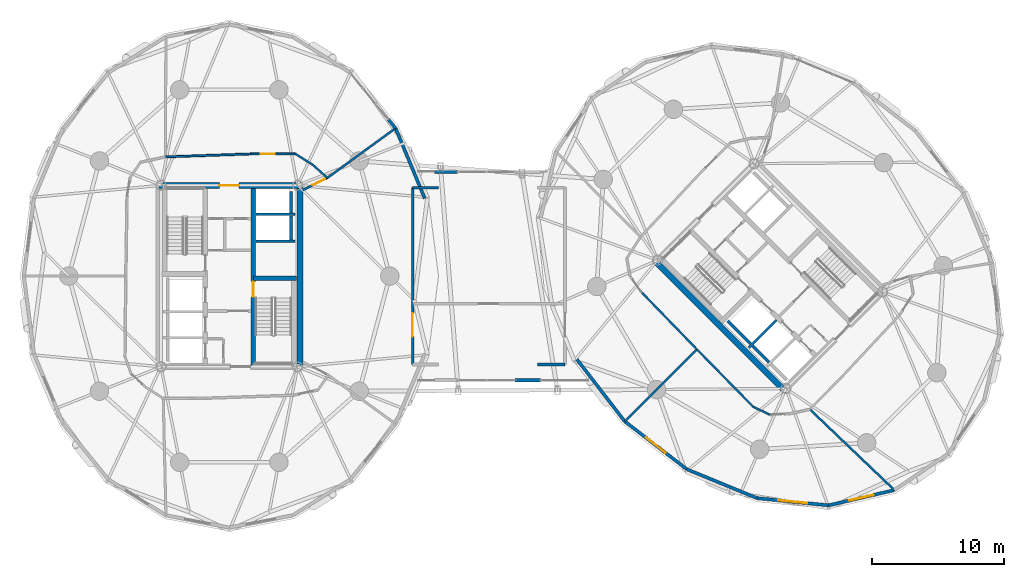
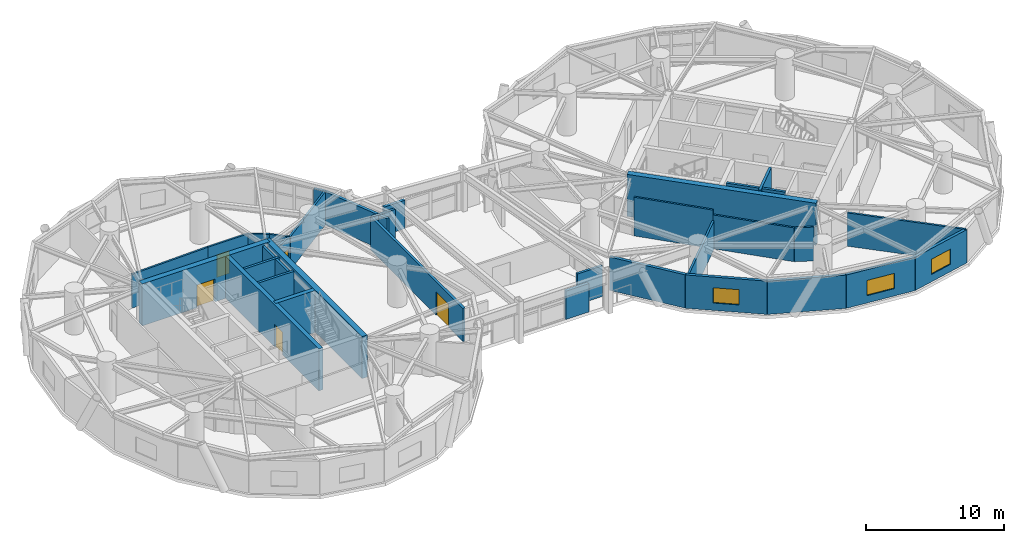
# One storey, part 14 of 19: 35 walls, 5 doors, 3 windows, 8 openings.
"""IFC4 building model written with IfcOpenShell, lengths in metres."""

from ifc_helpers import new_model, si_unit, direction, frame, frame_2d, origin, place, context, subcontext, project, spatial, rectangle, extrude, source, transform, mapped, material, layer, layer_set, type_object, element, fill, save


model = new_model("IFC4")

# Units and contexts
model_context = context("Model", 3, precision=1e-05, world=origin(), true_north=direction((0.0, 1.0)))
body_context = subcontext(model_context, "Body", "Model", "MODEL_VIEW")
ifc_project = project(units=[si_unit("LENGTHUNIT", "METRE"), si_unit("AREAUNIT", "SQUARE_METRE"), si_unit("VOLUMEUNIT", "CUBIC_METRE"), si_unit("PLANEANGLEUNIT", "RADIAN"), si_unit("MASSUNIT", "GRAM", prefix="KILO")], contexts=[model_context])

# Site, building, storey
site_placement = place(None, origin())
site = spatial("IfcSite", under=ifc_project, at=site_placement, CompositionType="ELEMENT")
building_placement = place(site_placement, origin())
building = spatial("IfcBuilding", under=site, at=building_placement, Name="Cununo Teusaquillo Station Towers", CompositionType="ELEMENT")
storey_placement = place(building_placement, frame((0.0, 0.0, 132.8798828125)))
storey = spatial("IfcBuildingStorey", under=building, at=storey_placement, Name="L42", CompositionType="ELEMENT", Elevation=132.8798828125)

# Walls
ifc_material_1 = material(Name="Concrete C50/60", Category="concrete")
ifc_layer_1 = layer(ifc_material_1, 0.199951171875)
ifc_layer_set_1 = layer_set([ifc_layer_1], Name="Concrete C50/60")
wall_type_1 = type_object("IfcWallType", Name="WL-CORE-200", PredefinedType="SHEAR", material=ifc_layer_set_1)
for number, where, z_axis, x_axis, name in (
    (1, (18.510009765625, 27.1298828125, 0.0), (0.0, 0.0, 1.0), (1.0, 0.0, 0.0), "L42 Tower A Low-Rise Lift Hoistway South Shear Wall"),
    (2, (18.510009765625, 29.175048828125, 0.0), (0.0, 0.0, 1.0), (1.0, 0.0, 0.0), "L42 Tower A Low-Rise Lift Hoistway Divider Shear Wall"),
):
    element("IfcWall", number, at=place(storey_placement, frame(where, z_axis=z_axis, x_axis=x_axis)), inside=storey, type_object=wall_type_1, Name=name, PredefinedType="SHEAR", context=body_context, shape_type="SweptSolid", body=[
        extrude(rectangle(XDim=2.969970703125, YDim=0.199951171875, at=frame_2d((1.48486328125, 0.0))), origin(), (0.0, 0.0, 1.0), 3.72021484375),
    ])
wall_1_placement = place(storey_placement, frame((21.179931640625, 27.25, 0.0), z_axis=(0.0, 0.0, 1.0), x_axis=(0.0, 1.0, 0.0)))
element("IfcWall", 3, at=wall_1_placement, inside=storey, type_object=wall_type_1, Name="L42 Tower A Low-Rise Lift 1 Shaft Rear Shear Wall", PredefinedType="SHEAR", context=body_context, shape_type="SweptSolid", body=[
    extrude(rectangle(XDim=1.804931640625, YDim=0.199951171875, at=frame_2d((0.90234375, 0.0))), origin(), (0.0, 0.0, 1.0), 3.72021484375),
])
wall_2_placement = place(storey_placement, frame((21.179931640625, 29.294921875, 0.0), z_axis=(0.0, 0.0, 1.0), x_axis=(0.0, 1.0, 0.0)))
element("IfcWall", 4, at=wall_2_placement, inside=storey, type_object=wall_type_1, Name="L42 Tower A Low-Rise Lift 2 Shaft Rear Shear Wall", PredefinedType="SHEAR", context=body_context, shape_type="SweptSolid", body=[
    extrude(rectangle(XDim=1.635009765625, YDim=0.199951171875, at=frame_2d((0.8173828125, 0.0))), origin(), (0.0, 0.0, 1.0), 3.72021484375),
])
wall_3_placement = place(storey_placement, frame((55.8876953125, 19.0693359375, 0.0), z_axis=(0.0, 0.0, 1.0), x_axis=(0.707106781187, 0.707106781187, 0.0)))
element("IfcWall", 5, at=wall_3_placement, inside=storey, type_object=wall_type_1, Name="L42 Tower B Firefighting Lift Shaft South Shear Wall", PredefinedType="SHEAR", context=body_context, shape_type="SweptSolid", body=[
    extrude(rectangle(XDim=2.969970703125, YDim=0.199951171875, at=frame_2d((1.48486328125, 0.0))), origin(), (0.0, 0.0, 1.0), 3.72021484375),
])
wall_4_placement = place(storey_placement, frame((56.01513671875, 19.366455078125, 0.0), z_axis=(0.0, 0.0, 1.0), x_axis=(-0.707106781187, 0.707106781187, 0.0)))
element("IfcWall", 6, at=wall_4_placement, inside=storey, type_object=wall_type_1, Name="L42 Tower B Firefighting Lift Shaft Rear Shear Wall", PredefinedType="SHEAR", context=body_context, shape_type="SweptSolid", body=[
    extrude(rectangle(XDim=2.43994140625, YDim=0.199951171875, at=frame_2d((1.219970703125, 0.0))), origin(), (0.0, 0.0, 1.0), 3.72021484375),
])
wall_5_placement = place(storey_placement, frame((57.41162109375, 17.969970703125, 0.0), z_axis=(0.0, 0.0, 1.0), x_axis=(-0.707106781187, 0.707106781187, 0.0)))
element("IfcWall", 7, at=wall_5_placement, inside=storey, type_object=wall_type_1, Name="L42 Tower B High-Rise Lift 2 Shaft Rear Shear Wall", PredefinedType="SHEAR", context=body_context, shape_type="SweptSolid", body=[
    extrude(rectangle(XDim=1.73486328125, YDim=0.199951171875, at=frame_2d((0.867431640625, 0.0))), origin(), (0.0, 0.0, 1.0), 3.72021484375),
])

# Wall, opening, door
ifc_material_2 = material(Name="Concrete C50/60", Category="concrete")
ifc_layer_2 = layer(ifc_material_2, 0.35009765625)
ifc_layer_set_2 = layer_set([ifc_layer_2], Name="Concrete C50/60")
wall_type_2 = type_object("IfcWallType", Name="WL-CORE-350", PredefinedType="SHEAR", material=ifc_layer_set_2)
wall_6_placement = place(storey_placement, frame((18.31494140625, 17.625, 0.0), z_axis=(0.0, 0.0, 1.0), x_axis=(0.0, 1.0, 0.0)))
wall_6 = element("IfcWall", 8, at=wall_6_placement, inside=storey, type_object=wall_type_2, Name="L42 Tower A Core Shear Wall IE", PredefinedType="SHEAR", context=body_context, shape_type="SweptSolid", body=[
    extrude(rectangle(XDim=13.75, YDim=0.35009765625, at=frame_2d((6.875, 0.0))), origin(), (0.0, 0.0, 1.0), 3.72021484375),
])
shared_shape_1 = source(origin(), body_context, "Body", "SweptSolid", [
    extrude(rectangle(XDim=1.14990234375, YDim=2.02001953125, at=frame_2d((0.574951171875, 1.010009765625))), frame((0.0, 0.18505859375, 0.0), z_axis=(0.0, -1.0, 0.0), x_axis=(1.0, 0.0, 0.0)), (0.0, 0.0, 1.0), 0.3701171875),
])
opening_1_placement = place(wall_6_placement, frame((5.304931640625, 0.0, 0.0)))
opening_1 = element("IfcOpeningElement", 9, at=opening_1_placement, cuts=wall_6, Name="Opening D-ST1", PredefinedType="OPENING", context=body_context, shape_type="MappedRepresentation", body=[
    mapped(shared_shape_1, transform((0.0, 0.0, 0.0), x_axis=(1.0, 0.0, 0.0), y_axis=(0.0, 1.0, 0.0), z_axis=(0.0, 0.0, 1.0), scale=1.0)),
])
ifc_material_3 = material(Name="Galvanised fire-rated hollow steel door assembly", Category="steel")
door_type_1 = type_object("IfcDoorType", Name="DR-STAIR-1150", OperationType="NOTDEFINED", PredefinedType="DOOR", material=ifc_material_3)
shared_shape_2 = source(origin(), body_context, "Body", "SweptSolid", [
    extrude(rectangle(XDim=1.14990234375, YDim=2.02001953125, at=frame_2d((0.574951171875, 1.010009765625))), frame((0.0, 0.02490234375, 0.0), z_axis=(0.0, -1.0, 0.0), x_axis=(1.0, 0.0, 0.0)), (0.0, 0.0, 1.0), 0.050048828125),
])
door_1_placement = place(opening_1_placement, origin())
door_1 = element("IfcDoor", 10, at=door_1_placement, inside=storey, type_object=door_type_1, Name="L42 Tower A Exit Stair 2 Fire Door", OperationType="SINGLE_SWING_LEFT", OverallHeight=2.02001953125, OverallWidth=1.14990234375, PredefinedType="DOOR", context=body_context, shape_type="MappedRepresentation", body=[
    mapped(shared_shape_2, transform((0.0, 0.0, 0.0), x_axis=(1.0, 0.0, 0.0), y_axis=(0.0, 1.0, 0.0), z_axis=(0.0, 0.0, 1.0), scale=1.0)),
])
fill(opening_1, door_1)

# Walls
wall_7_placement = place(storey_placement, frame((18.31494140625, 24.344970703125, 0.0), z_axis=(0.0, 0.0, 1.0), x_axis=(1.0, 0.0, 0.0)))
element("IfcWall", 11, at=wall_7_placement, inside=storey, type_object=wall_type_2, Name="L42 Tower A Core Shear Wall ST2N", PredefinedType="SHEAR", context=body_context, shape_type="SweptSolid", body=[
    extrude(rectangle(XDim=3.28515625, YDim=0.35009765625, at=frame_2d((1.642578125, 0.0))), origin(), (0.0, 0.0, 1.0), 3.72021484375),
])
ifc_material_4 = material(Name="Concrete C60/75", Category="concrete")
ifc_layer_3 = layer(ifc_material_4, 0.449951171875)
ifc_layer_set_3 = layer_set([ifc_layer_3], Name="Concrete C60/75")
wall_type_3 = type_object("IfcWallType", Name="WL-CORE-450", PredefinedType="SHEAR", material=ifc_layer_set_3)
wall_8_placement = place(storey_placement, frame((21.85009765625, 17.39990234375, 0.0), z_axis=(0.0, 0.0, 1.0), x_axis=(0.0, 1.0, 0.0)))
element("IfcWall", 12, at=wall_8_placement, inside=storey, type_object=wall_type_3, Name="L42 Tower A Core Shear Wall E", PredefinedType="SHEAR", context=body_context, shape_type="SweptSolid", body=[
    extrude(rectangle(XDim=14.2001953125, YDim=0.449951171875, at=frame_2d((7.10009765625, 0.0))), origin(), (0.0, 0.0, 1.0), 3.72021484375),
])

# Wall, opening, door
wall_9_placement = place(storey_placement, frame((11.14990234375, 31.375, 0.0), z_axis=(0.0, 0.0, 1.0), x_axis=(1.0, 0.0, 0.0)))
wall_9 = element("IfcWall", 13, at=wall_9_placement, inside=storey, type_object=wall_type_3, Name="L42 Tower A Core Shear Wall N", PredefinedType="SHEAR", context=body_context, shape_type="SweptSolid", body=[
    extrude(rectangle(XDim=10.7001953125, YDim=0.449951171875, at=frame_2d((5.35009765625, 0.0))), origin(), (0.0, 0.0, 1.0), 3.72021484375),
])
shared_shape_3 = source(origin(), body_context, "Body", "SweptSolid", [
    extrude(rectangle(XDim=1.5, YDim=2.02001953125, at=frame_2d((0.75, 1.010009765625))), frame((0.0, 0.23486328125, 0.0), z_axis=(0.0, -1.0, 0.0), x_axis=(1.0, 0.0, 0.0)), (0.0, 0.0, 1.0), 0.469970703125),
])
opening_2_placement = place(wall_9_placement, frame((4.60009765625, 0.0, 0.0)))
opening_2 = element("IfcOpeningElement", 14, at=opening_2_placement, cuts=wall_9, Name="Opening D-LB1", PredefinedType="OPENING", context=body_context, shape_type="MappedRepresentation", body=[
    mapped(shared_shape_3, transform((0.0, 0.0, 0.0), x_axis=(1.0, 0.0, 0.0), y_axis=(0.0, 1.0, 0.0), z_axis=(0.0, 0.0, 1.0), scale=1.0)),
])
ifc_material_5 = material(Name="Galvanised fire-rated hollow steel door assembly", Category="steel")
door_type_2 = type_object("IfcDoorType", Name="DR-LOBBY-1500", OperationType="DOUBLE_DOOR_SINGLE_SWING", PredefinedType="DOOR", material=ifc_material_5)
shared_shape_4 = source(origin(), body_context, "Body", "SweptSolid", [
    extrude(rectangle(XDim=1.5, YDim=2.02001953125, at=frame_2d((0.75, 1.010009765625))), frame((0.0, 0.02490234375, 0.0), z_axis=(0.0, -1.0, 0.0), x_axis=(1.0, 0.0, 0.0)), (0.0, 0.0, 1.0), 0.050048828125),
])
door_2_placement = place(opening_2_placement, origin())
door_2 = element("IfcDoor", 15, at=door_2_placement, inside=storey, type_object=door_type_2, Name="L42 Tower A North Core Lift Lobby Door", OperationType="DOUBLE_DOOR_SINGLE_SWING", OverallHeight=2.02001953125, OverallWidth=1.5, PredefinedType="DOOR", context=body_context, shape_type="MappedRepresentation", body=[
    mapped(shared_shape_4, transform((0.0, 0.0, 0.0), x_axis=(1.0, 0.0, 0.0), y_axis=(0.0, 1.0, 0.0), z_axis=(0.0, 0.0, 1.0), scale=1.0)),
])
fill(opening_2, door_2)

# Walls
wall_10_placement = place(storey_placement, frame((58.7373046875, 15.696533203125, 0.0), z_axis=(0.0, 0.0, 1.0), x_axis=(-0.707106781187, 0.707106781187, 0.0)))
element("IfcWall", 16, at=wall_10_placement, inside=storey, type_object=wall_type_3, Name="L42 Tower B Core Shear Wall W", PredefinedType="SHEAR", context=body_context, shape_type="SweptSolid", body=[
    extrude(rectangle(XDim=14.19970703125, YDim=0.449951171875, at=frame_2d((7.099853515625, 0.0))), origin(), (0.0, 0.0, 1.0), 3.72021484375),
])
ifc_material_6 = material(Name="Precast concrete C40/50", Category="concrete")
ifc_layer_4 = layer(ifc_material_6, 0.239990234375)
ifc_layer_set_4 = layer_set([ifc_layer_4], Name="Precast concrete C40/50")
wall_type_4 = type_object("IfcWallType", Name="WL-EXT-240", PredefinedType="SOLIDWALL", material=ifc_layer_set_4)
wall_11_placement = place(storey_placement, frame((29.105224609375, 35.708984375, 0.0), z_axis=(0.0, 0.0, 1.0), x_axis=(0.384344417632, -0.923189779317, 0.0)))
element("IfcWall", 17, at=wall_11_placement, inside=storey, type_object=wall_type_4, Name="L42 Tower A Exterior Facade Wall C01", PredefinedType="SOLIDWALL", context=body_context, shape_type="SweptSolid", body=[
    extrude(rectangle(XDim=5.75830078125, YDim=0.239990234375, at=frame_2d((2.879150390625, 0.0))), origin(), (0.0, 0.0, 1.0), 2.94921875),
])
wall_12_placement = place(storey_placement, frame((28.5546875, 36.3828125, 0.0), z_axis=(0.0, 0.0, 1.0), x_axis=(0.632702874536, -0.774394649099, 0.0)))
element("IfcWall", 18, at=wall_12_placement, inside=storey, type_object=wall_type_4, Name="L42 Tower A Column Pier Cladding Wall C02-PB", PredefinedType="SOLIDWALL", context=body_context, shape_type="SweptSolid", body=[
    extrude(rectangle(XDim=0.8701171875, YDim=0.239990234375, at=frame_2d((0.43505859375, 0.0))), origin(), (0.0, 0.0, 1.0), 2.94921875),
])
wall_13_placement = place(storey_placement, frame((46.482666015625, 13.482666015625, 0.0), z_axis=(0.0, 0.0, 1.0), x_axis=(-0.61054437102, 0.791982052206, 0.0)))
element("IfcWall", 19, at=wall_13_placement, inside=storey, type_object=wall_type_4, Name="L42 Tower B Exterior Facade Wall C09", PredefinedType="SOLIDWALL", context=body_context, shape_type="SweptSolid", body=[
    extrude(rectangle(XDim=5.942138671875, YDim=0.239990234375, at=frame_2d((2.97119140625, 0.0))), origin(), (0.0, 0.0, 1.0), 2.94921875),
])

# Wall, opening, window
wall_14_placement = place(storey_placement, frame((51.188720703125, 9.854736328125, 0.0), z_axis=(0.0, 0.0, 1.0), x_axis=(-0.791982052206, 0.61054437102, 0.0)))
wall_14 = element("IfcWall", 20, at=wall_14_placement, inside=storey, type_object=wall_type_4, Name="L42 Tower B Exterior Facade Wall C10", PredefinedType="SOLIDWALL", context=body_context, shape_type="SweptSolid", body=[
    extrude(rectangle(XDim=5.942138671875, YDim=0.239990234375, at=frame_2d((2.97119140625, 0.0))), origin(), (0.0, 0.0, 1.0), 2.94921875),
])
shared_shape_5 = source(origin(), body_context, "Body", "SweptSolid", [
    extrude(rectangle(XDim=1.89990234375, YDim=1.35009765625, at=frame_2d((0.949951171875, 0.675048828125))), frame((0.0, 0.1298828125, 0.0), z_axis=(0.0, -1.0, 0.0), x_axis=(1.0, 0.0, 0.0)), (0.0, 0.0, 1.0), 0.260009765625),
])
opening_3_placement = place(wall_14_placement, frame((2.02099609375, 0.0, 0.64990234375)))
opening_3 = element("IfcOpeningElement", 21, at=opening_3_placement, cuts=wall_14, Name="Opening WN-02", PredefinedType="OPENING", context=body_context, shape_type="MappedRepresentation", body=[
    mapped(shared_shape_5, transform((0.0, 0.0, 0.0), x_axis=(1.0, 0.0, 0.0), y_axis=(0.0, 1.0, 0.0), z_axis=(0.0, 0.0, 1.0), scale=1.0)),
])
ifc_material_7 = material(Name="Operable acoustic tinted low-E double glazing", Category="glass")
window_type_1 = type_object("IfcWindowType", Name="WIN-OPER-1900", PartitioningType="DOUBLE_PANEL_VERTICAL", PredefinedType="WINDOW", material=ifc_material_7)
shared_shape_6 = source(origin(), body_context, "Body", "SweptSolid", [
    extrude(rectangle(XDim=1.89990234375, YDim=1.35009765625, at=frame_2d((0.949951171875, 0.675048828125))), frame((0.0, 0.030029296875, 0.0), z_axis=(0.0, -1.0, 0.0), x_axis=(1.0, 0.0, 0.0)), (0.0, 0.0, 1.0), 0.06005859375),
])
window_1_placement = place(opening_3_placement, origin())
window_1 = element("IfcWindow", 22, at=window_1_placement, inside=storey, type_object=window_type_1, Name="L42 Tower B Facade Window C10", OverallHeight=1.35009765625, OverallWidth=1.89990234375, PartitioningType="DOUBLE_PANEL_VERTICAL", PredefinedType="WINDOW", context=body_context, shape_type="MappedRepresentation", body=[
    mapped(shared_shape_6, transform((0.0, 0.0, 0.0), x_axis=(1.0, 0.0, 0.0), y_axis=(0.0, 1.0, 0.0), z_axis=(0.0, 0.0, 1.0), scale=1.0)),
])
fill(opening_3, window_1)

# Wall
wall_15_placement = place(storey_placement, frame((56.5126953125, 7.66064453125, 0.0), z_axis=(0.0, 0.0, 1.0), x_axis=(-0.924563909604, 0.381027003055, 0.0)))
element("IfcWall", 23, at=wall_15_placement, inside=storey, type_object=wall_type_4, Name="L42 Tower B Exterior Facade Wall C11", PredefinedType="SOLIDWALL", context=body_context, shape_type="SweptSolid", body=[
    extrude(rectangle(XDim=5.75830078125, YDim=0.239990234375, at=frame_2d((2.879150390625, 0.0))), origin(), (0.0, 0.0, 1.0), 2.94921875),
])

# Wall, opening, window
wall_16_placement = place(storey_placement, frame((61.933349609375, 7.114990234375, 0.0), z_axis=(0.0, 0.0, 1.0), x_axis=(-0.994971754311, 0.10015591906, 0.0)))
wall_16 = element("IfcWall", 24, at=wall_16_placement, inside=storey, type_object=wall_type_4, Name="L42 Tower B Exterior Facade Wall C12", PredefinedType="SOLIDWALL", context=body_context, shape_type="SweptSolid", body=[
    extrude(rectangle(XDim=5.447998046875, YDim=0.239990234375, at=frame_2d((2.72412109375, 0.0))), origin(), (0.0, 0.0, 1.0), 2.94921875),
])
shared_shape_7 = source(origin(), body_context, "Body", "SweptSolid", [
    extrude(rectangle(XDim=2.199951171875, YDim=1.35009765625, at=frame_2d((1.10009765625, 0.675048828125))), frame((0.0, 0.1298828125, 0.0), z_axis=(0.0, -1.0, 0.0), x_axis=(1.0, 0.0, 0.0)), (0.0, 0.0, 1.0), 0.260009765625),
])
opening_4_placement = place(wall_16_placement, frame((1.6240234375, 0.0, 0.64990234375)))
opening_4 = element("IfcOpeningElement", 25, at=opening_4_placement, cuts=wall_16, Name="Opening WN-01", PredefinedType="OPENING", context=body_context, shape_type="MappedRepresentation", body=[
    mapped(shared_shape_7, transform((0.0, 0.0, 0.0), x_axis=(1.0, 0.0, 0.0), y_axis=(0.0, 1.0, 0.0), z_axis=(0.0, 0.0, 1.0), scale=1.0)),
])
ifc_material_8 = material(Name="Ceramic-fritted dark low-E double glazing", Category="glass")
window_type_2 = type_object("IfcWindowType", Name="WIN-FRIT-2200", PartitioningType="DOUBLE_PANEL_VERTICAL", PredefinedType="WINDOW", material=ifc_material_8)
shared_shape_8 = source(origin(), body_context, "Body", "SweptSolid", [
    extrude(rectangle(XDim=2.199951171875, YDim=1.35009765625, at=frame_2d((1.10009765625, 0.675048828125))), frame((0.0, 0.030029296875, 0.0), z_axis=(0.0, -1.0, 0.0), x_axis=(1.0, 0.0, 0.0)), (0.0, 0.0, 1.0), 0.06005859375),
])
window_2_placement = place(opening_4_placement, origin())
window_2 = element("IfcWindow", 26, at=window_2_placement, inside=storey, type_object=window_type_2, Name="L42 Tower B Facade Window C12", OverallHeight=1.35009765625, OverallWidth=2.199951171875, PartitioningType="DOUBLE_PANEL_VERTICAL", PredefinedType="WINDOW", context=body_context, shape_type="MappedRepresentation", body=[
    mapped(shared_shape_8, transform((0.0, 0.0, 0.0), x_axis=(1.0, 0.0, 0.0), y_axis=(0.0, 1.0, 0.0), z_axis=(0.0, 0.0, 1.0), scale=1.0)),
])
fill(opening_4, window_2)

wall_17_placement = place(storey_placement, frame((66.919921875, 8.27099609375, 0.0), z_axis=(0.0, 0.0, 1.0), x_axis=(-0.974165631126, -0.225834725257, 0.0)))
wall_17 = element("IfcWall", 27, at=wall_17_placement, inside=storey, type_object=wall_type_4, Name="L42 Tower B Exterior Facade Wall C13", PredefinedType="SOLIDWALL", context=body_context, shape_type="SweptSolid", body=[
    extrude(rectangle(XDim=5.118896484375, YDim=0.239990234375, at=frame_2d((2.5595703125, 0.0))), origin(), (0.0, 0.0, 1.0), 2.94921875),
])
opening_5_placement = place(wall_17_placement, frame((1.60888671875, 0.0, 0.64990234375)))
opening_5 = element("IfcOpeningElement", 28, at=opening_5_placement, cuts=wall_17, Name="Opening WN-02", PredefinedType="OPENING", context=body_context, shape_type="MappedRepresentation", body=[
    mapped(shared_shape_5, transform((0.0, 0.0, 0.0), x_axis=(1.0, 0.0, 0.0), y_axis=(0.0, 1.0, 0.0), z_axis=(0.0, 0.0, 1.0), scale=1.0)),
])
window_3_placement = place(opening_5_placement, origin())
window_3 = element("IfcWindow", 29, at=window_3_placement, inside=storey, type_object=window_type_1, Name="L42 Tower B Facade Window C13", OverallHeight=1.35009765625, OverallWidth=1.89990234375, PartitioningType="DOUBLE_PANEL_VERTICAL", PredefinedType="WINDOW", context=body_context, shape_type="MappedRepresentation", body=[
    mapped(shared_shape_6, transform((0.0, 0.0, 0.0), x_axis=(1.0, 0.0, 0.0), y_axis=(0.0, 1.0, 0.0), z_axis=(0.0, 0.0, 1.0), scale=1.0)),
])
fill(opening_5, window_3)

# Walls
wall_18_placement = place(storey_placement, frame((32.050048828125, 32.39990234375, 0.0), z_axis=(0.0, 0.0, 1.0), x_axis=(1.0, 0.0, 0.0)))
element("IfcWall", 30, at=wall_18_placement, inside=storey, type_object=wall_type_4, Name="L42 Mid-Bridge N End Spandrel A", PredefinedType="SOLIDWALL", context=body_context, shape_type="SweptSolid", body=[
    extrude(rectangle(XDim=1.77001953125, YDim=0.239990234375, at=frame_2d((0.885009765625, 0.0))), origin(), (0.0, 0.0, 1.0), 2.51220703125),
])
wall_19_placement = place(storey_placement, frame((40.10009765625, 16.60009765625, 0.0), z_axis=(0.0, 0.0, 1.0), x_axis=(-1.0, 0.0, 0.0)))
element("IfcWall", 31, at=wall_19_placement, inside=storey, type_object=wall_type_4, Name="L42 Mid-Bridge S End Spandrel A", PredefinedType="SOLIDWALL", context=body_context, shape_type="SweptSolid", body=[
    extrude(rectangle(XDim=1.920166015625, YDim=0.239990234375, at=frame_2d((0.9599609375, 0.0))), origin(), (0.0, 0.0, 1.0), 2.51220703125),
])
ifc_material_9 = material(Name="Fire-rated gypsum plasterboard partition assembly", Category="gypsum")
ifc_layer_5 = layer(ifc_material_9, 0.14990234375)
ifc_layer_set_5 = layer_set([ifc_layer_5], Name="Fire-rated gypsum plasterboard partition assembly")
wall_type_5 = type_object("IfcWallType", Name="WL-PART-150", PredefinedType="PARTITIONING", material=ifc_layer_set_5)
wall_20_placement = place(storey_placement, frame((23.933349609375, 31.9462890625, 0.0), z_axis=(0.0, 0.0, 1.0), x_axis=(-0.744529651383, 0.667589393423, 0.0)))
element("IfcWall", 32, at=wall_20_placement, inside=storey, type_object=wall_type_5, Name="L42 Tower A Corridor Ring Wall C02", PredefinedType="PARTITIONING", context=body_context, shape_type="SweptSolid", body=[
    extrude(rectangle(XDim=1.472412109375, YDim=0.14990234375, at=frame_2d((0.736328125, 0.0))), origin(), (0.0, 0.0, 1.0), 2.9951171875),
])
wall_21_placement = place(storey_placement, frame((22.837158203125, 32.92919921875, 0.0), z_axis=(0.0, 0.0, 1.0), x_axis=(-0.84581079329, 0.533482991252, 0.0)))
element("IfcWall", 33, at=wall_21_placement, inside=storey, type_object=wall_type_5, Name="L42 Tower A Corridor Ring Wall C03", PredefinedType="PARTITIONING", context=body_context, shape_type="SweptSolid", body=[
    extrude(rectangle(XDim=1.585205078125, YDim=0.14990234375, at=frame_2d((0.79248046875, 0.0))), origin(), (0.0, 0.0, 1.0), 2.9951171875),
])

# Wall, opening, door
wall_22_placement = place(storey_placement, frame((21.496337890625, 33.77490234375, 0.0), z_axis=(0.0, 0.0, 1.0), x_axis=(-0.999989544737, -0.004572790979, 0.0)))
wall_22 = element("IfcWall", 34, at=wall_22_placement, inside=storey, type_object=wall_type_5, Name="L42 Tower A Corridor Ring Wall C04", PredefinedType="PARTITIONING", context=body_context, shape_type="SweptSolid", body=[
    extrude(rectangle(XDim=3.363525390625, YDim=0.14990234375, at=frame_2d((1.681640625, 0.0))), origin(), (0.0, 0.0, 1.0), 2.9951171875),
])
shared_shape_9 = source(origin(), body_context, "Body", "SweptSolid", [
    extrude(rectangle(XDim=1.050048828125, YDim=2.014892578125, at=frame_2d((0.52490234375, 1.00732421875))), frame((0.0, 0.0849609375, 0.0), z_axis=(0.0, -1.0, 0.0), x_axis=(1.0, 0.0, 0.0)), (0.0, 0.0, 1.0), 0.169921875),
])
opening_6_placement = place(wall_22_placement, frame((1.545654296875, 0.0, 0.0)))
opening_6 = element("IfcOpeningElement", 35, at=opening_6_placement, cuts=wall_22, Name="Opening D-SU1", PredefinedType="OPENING", context=body_context, shape_type="MappedRepresentation", body=[
    mapped(shared_shape_9, transform((0.0, 0.0, 0.0), x_axis=(1.0, 0.0, 0.0), y_axis=(0.0, 1.0, 0.0), z_axis=(0.0, 0.0, 1.0), scale=1.0)),
])
ifc_material_10 = material(Name="Acoustic solid-core hardwood leaf assembly", Category="wood")
door_type_3 = type_object("IfcDoorType", Name="DR-SUITE-1050", OperationType="NOTDEFINED", PredefinedType="DOOR", material=ifc_material_10)
shared_shape_10 = source(origin(), body_context, "Body", "SweptSolid", [
    extrude(rectangle(XDim=1.050048828125, YDim=2.014892578125, at=frame_2d((0.52490234375, 1.00732421875))), frame((0.0, 0.02490234375, 0.0), z_axis=(0.0, -1.0, 0.0), x_axis=(1.0, 0.0, 0.0)), (0.0, 0.0, 1.0), 0.050048828125),
])
door_3_placement = place(opening_6_placement, origin())
door_3 = element("IfcDoor", 36, at=door_3_placement, inside=storey, type_object=door_type_3, Name="L42 Tower A Panoramic Conservatory Dining Hall Entrance Door", OperationType="SINGLE_SWING_RIGHT", OverallHeight=2.014892578125, OverallWidth=1.050048828125, PredefinedType="DOOR", context=body_context, shape_type="MappedRepresentation", body=[
    mapped(shared_shape_10, transform((0.0, 0.0, 0.0), x_axis=(1.0, 0.0, 0.0), y_axis=(0.0, 1.0, 0.0), z_axis=(0.0, 0.0, 1.0), scale=1.0)),
])
fill(opening_6, door_3)

# Walls
wall_23_placement = place(storey_placement, frame((18.1328125, 33.759521484375, 0.0), z_axis=(0.0, 0.0, 1.0), x_axis=(-0.999419643988, -0.034064280574, 0.0)))
element("IfcWall", 37, at=wall_23_placement, inside=storey, type_object=wall_type_5, Name="L42 Tower A Corridor Ring Wall C05", PredefinedType="PARTITIONING", context=body_context, shape_type="SweptSolid", body=[
    extrude(rectangle(XDim=6.486083984375, YDim=0.14990234375, at=frame_2d((3.2431640625, 0.0))), origin(), (0.0, 0.0, 1.0), 2.9951171875),
])
wall_24_placement = place(storey_placement, frame((47.786376953125, 23.24169921875, 0.0), z_axis=(0.0, 0.0, 1.0), x_axis=(0.696183456981, -0.717863910659, 0.0)))
element("IfcWall", 38, at=wall_24_placement, inside=storey, type_object=wall_type_5, Name="L42 Tower B Corridor Ring Wall C09", PredefinedType="PARTITIONING", context=body_context, shape_type="SweptSolid", body=[
    extrude(rectangle(XDim=5.9794921875, YDim=0.14990234375, at=frame_2d((2.98974609375, 0.0))), origin(), (0.0, 0.0, 1.0), 3.425048828125),
])
wall_25_placement = place(storey_placement, frame((51.94921875, 18.94921875, 0.0), z_axis=(0.0, 0.0, 1.0), x_axis=(0.699801520154, -0.714337337951, 0.0)))
element("IfcWall", 39, at=wall_25_placement, inside=storey, type_object=wall_type_5, Name="L42 Tower B Corridor Ring Wall C10", PredefinedType="PARTITIONING", context=body_context, shape_type="SweptSolid", body=[
    extrude(rectangle(XDim=6.096923828125, YDim=0.14990234375, at=frame_2d((3.04833984375, 0.0))), origin(), (0.0, 0.0, 1.0), 2.9951171875),
])
wall_26_placement = place(storey_placement, frame((56.2158203125, 14.593994140625, 0.0), z_axis=(0.0, 0.0, 1.0), x_axis=(0.902219207281, -0.431277755064, 0.0)))
element("IfcWall", 40, at=wall_26_placement, inside=storey, type_object=wall_type_5, Name="L42 Tower B Corridor Ring Wall C11", PredefinedType="PARTITIONING", context=body_context, shape_type="SweptSolid", body=[
    extrude(rectangle(XDim=1.40966796875, YDim=0.14990234375, at=frame_2d((0.704833984375, 0.0))), origin(), (0.0, 0.0, 1.0), 2.9951171875),
])
ifc_material_11 = material(Name="Fire-rated gypsum plasterboard partition assembly", Category="gypsum")
ifc_layer_6 = layer(ifc_material_11, 0.159912109375)
ifc_layer_set_6 = layer_set([ifc_layer_6], Name="Fire-rated gypsum plasterboard partition assembly")
wall_type_6 = type_object("IfcWallType", Name="WL-PART-160", PredefinedType="PARTITIONING", material=ifc_layer_set_6)
wall_27_placement = place(storey_placement, frame((23.933349609375, 31.9462890625, 0.0), z_axis=(0.0, 0.0, 1.0), x_axis=(0.808636722237, 0.588308296261, 0.0)))
element("IfcWall", 41, at=wall_27_placement, inside=storey, type_object=wall_type_6, Name="L42 Tower A Radial Suite Partition R01", PredefinedType="PARTITIONING", context=body_context, shape_type="SweptSolid", body=[
    extrude(rectangle(XDim=6.3759765625, YDim=0.159912109375, at=frame_2d((3.18798828125, 0.0))), origin(), (0.0, 0.0, 1.0), 2.94921875),
])

# Wall, opening, door
wall_28_placement = place(storey_placement, frame((22.074951171875, 31.02490234375, 0.0), z_axis=(0.0, 0.0, 1.0), x_axis=(0.8959286695, 0.444197950432, 0.0)))
wall_28 = element("IfcWall", 42, at=wall_28_placement, inside=storey, type_object=wall_type_6, Name="L42 Tower A East Salon Corridor Portal Wall NE", PredefinedType="PARTITIONING", context=body_context, shape_type="SweptSolid", body=[
    extrude(rectangle(XDim=2.07421875, YDim=0.159912109375, at=frame_2d((1.037109375, 0.0))), origin(), (0.0, 0.0, 1.0), 2.9951171875),
])
shared_shape_11 = source(origin(), body_context, "Body", "SweptSolid", [
    extrude(rectangle(XDim=1.050048828125, YDim=2.014892578125, at=frame_2d((0.52490234375, 1.00732421875))), frame((0.0, 0.08984375, 0.0), z_axis=(0.0, -1.0, 0.0), x_axis=(1.0, 0.0, 0.0)), (0.0, 0.0, 1.0), 0.179931640625),
])
opening_7_placement = place(wall_28_placement, frame((0.82421875, 0.0, 0.0)))
opening_7 = element("IfcOpeningElement", 43, at=opening_7_placement, cuts=wall_28, Name="Opening D-SU1", PredefinedType="OPENING", context=body_context, shape_type="MappedRepresentation", body=[
    mapped(shared_shape_11, transform((0.0, 0.0, 0.0), x_axis=(1.0, 0.0, 0.0), y_axis=(0.0, 1.0, 0.0), z_axis=(0.0, 0.0, 1.0), scale=1.0)),
])
door_4_placement = place(opening_7_placement, origin())
door_4 = element("IfcDoor", 44, at=door_4_placement, inside=storey, type_object=door_type_3, Name="L42 Tower A East Panorama Sky Salon Door NE", OperationType="SINGLE_SWING_RIGHT", OverallHeight=2.014892578125, OverallWidth=1.050048828125, PredefinedType="DOOR", context=body_context, shape_type="MappedRepresentation", body=[
    mapped(shared_shape_10, transform((0.0, 0.0, 0.0), x_axis=(1.0, 0.0, 0.0), y_axis=(0.0, 1.0, 0.0), z_axis=(0.0, 0.0, 1.0), scale=1.0)),
])
fill(opening_7, door_4)

# Walls
wall_29_placement = place(storey_placement, frame((51.94921875, 18.94921875, 0.0), z_axis=(0.0, 0.0, 1.0), x_axis=(-0.707106781187, -0.707106781187, 0.0)))
element("IfcWall", 45, at=wall_29_placement, inside=storey, type_object=wall_type_6, Name="L42 Tower B Radial Suite Partition R03", PredefinedType="PARTITIONING", context=body_context, shape_type="SweptSolid", body=[
    extrude(rectangle(XDim=7.711181640625, YDim=0.159912109375, at=frame_2d((3.85546875, 0.0))), origin(), (0.0, 0.0, 1.0), 2.51220703125),
])
wall_30_placement = place(storey_placement, frame((60.5146484375, 14.400634765625, 0.0), z_axis=(0.0, 0.0, 1.0), x_axis=(0.722998961483, -0.690849116446, 0.0)))
element("IfcWall", 46, at=wall_30_placement, inside=storey, type_object=wall_type_6, Name="L42 Tower B Radial Suite Partition R04", PredefinedType="PARTITIONING", context=body_context, shape_type="SweptSolid", body=[
    extrude(rectangle(XDim=8.846923828125, YDim=0.159912109375, at=frame_2d((4.42333984375, 0.0))), origin(), (0.0, 0.0, 1.0), 2.94921875),
])

# Wall, opening, door
ifc_material_12 = material(Name="Fire-rated gypsum plasterboard partition assembly", Category="gypsum")
ifc_layer_7 = layer(ifc_material_12, 0.199951171875)
ifc_layer_set_7 = layer_set([ifc_layer_7], Name="Fire-rated gypsum plasterboard partition assembly")
wall_type_7 = type_object("IfcWallType", Name="WL-PART-200", PredefinedType="PARTITIONING", material=ifc_layer_set_7)
wall_31_placement = place(storey_placement, frame((30.39990234375, 17.800048828125, 0.0), z_axis=(0.0, 0.0, 1.0), x_axis=(0.0, 1.0, 0.0)))
wall_31 = element("IfcWall", 47, at=wall_31_placement, inside=storey, type_object=wall_type_7, Name="L42 Mid-Bridge T1 Fire Portal Wall", PredefinedType="PARTITIONING", context=body_context, shape_type="SweptSolid", body=[
    extrude(rectangle(XDim=13.39990234375, YDim=0.199951171875, at=frame_2d((6.699951171875, 0.0))), origin(), (0.0, 0.0, 1.0), 2.94921875),
])
shared_shape_12 = source(origin(), body_context, "Body", "SweptSolid", [
    extrude(rectangle(XDim=1.800048828125, YDim=2.050048828125, at=frame_2d((0.89990234375, 1.02490234375))), frame((0.0, 0.10986328125, 0.0), z_axis=(0.0, -1.0, 0.0), x_axis=(1.0, 0.0, 0.0)), (0.0, 0.0, 1.0), 0.219970703125),
])
opening_8_placement = place(wall_31_placement, frame((2.10009765625, 0.0, 0.0)))
opening_8 = element("IfcOpeningElement", 48, at=opening_8_placement, cuts=wall_31, Name="Opening D-BG1", PredefinedType="OPENING", context=body_context, shape_type="MappedRepresentation", body=[
    mapped(shared_shape_12, transform((0.0, 0.0, 0.0), x_axis=(1.0, 0.0, 0.0), y_axis=(0.0, 1.0, 0.0), z_axis=(0.0, 0.0, 1.0), scale=1.0)),
])
ifc_material_13 = material(Name="Galvanised fire-rated hollow steel door assembly", Category="steel")
door_type_4 = type_object("IfcDoorType", Name="DR-BRIDGE-1800", OperationType="DOUBLE_DOOR_SINGLE_SWING", PredefinedType="DOOR", material=ifc_material_13)
shared_shape_13 = source(origin(), body_context, "Body", "SweptSolid", [
    extrude(rectangle(XDim=1.800048828125, YDim=2.050048828125, at=frame_2d((0.89990234375, 1.02490234375))), frame((0.0, 0.02490234375, 0.0), z_axis=(0.0, -1.0, 0.0), x_axis=(1.0, 0.0, 0.0)), (0.0, 0.0, 1.0), 0.050048828125),
])
door_5_placement = place(opening_8_placement, origin())
door_5 = element("IfcDoor", 49, at=door_5_placement, inside=storey, type_object=door_type_4, Name="L42 Mid-Bridge T1 Portal Fire Door", OperationType="DOUBLE_DOOR_SINGLE_SWING", OverallHeight=2.050048828125, OverallWidth=1.800048828125, PredefinedType="DOOR", context=body_context, shape_type="MappedRepresentation", body=[
    mapped(shared_shape_13, transform((0.0, 0.0, 0.0), x_axis=(1.0, 0.0, 0.0), y_axis=(0.0, 1.0, 0.0), z_axis=(0.0, 0.0, 1.0), scale=1.0)),
])
fill(opening_8, door_5)

# Walls
wall_32_placement = place(storey_placement, frame((30.39990234375, 31.199951171875, 0.0), z_axis=(0.0, 0.0, 1.0), x_axis=(1.0, 0.0, 0.0)))
element("IfcWall", 50, at=wall_32_placement, inside=storey, type_object=wall_type_7, Name="L42 Mid-Bridge Portal Return Wall WN", PredefinedType="PARTITIONING", context=body_context, shape_type="SweptSolid", body=[
    extrude(rectangle(XDim=1.9501953125, YDim=0.199951171875, at=frame_2d((0.97509765625, 0.0))), origin(), (0.0, 0.0, 1.0), 2.94921875),
])
wall_33_placement = place(storey_placement, frame((39.85009765625, 17.800048828125, 0.0), z_axis=(0.0, 0.0, 1.0), x_axis=(1.0, 0.0, 0.0)))
element("IfcWall", 51, at=wall_33_placement, inside=storey, type_object=wall_type_7, Name="L42 Mid-Bridge Portal Return Wall ES", PredefinedType="PARTITIONING", context=body_context, shape_type="SweptSolid", body=[
    extrude(rectangle(XDim=2.099853515625, YDim=0.199951171875, at=frame_2d((1.0498046875, 0.0))), origin(), (0.0, 0.0, 1.0), 2.712158203125),
])

save(model, "model.ifc")
